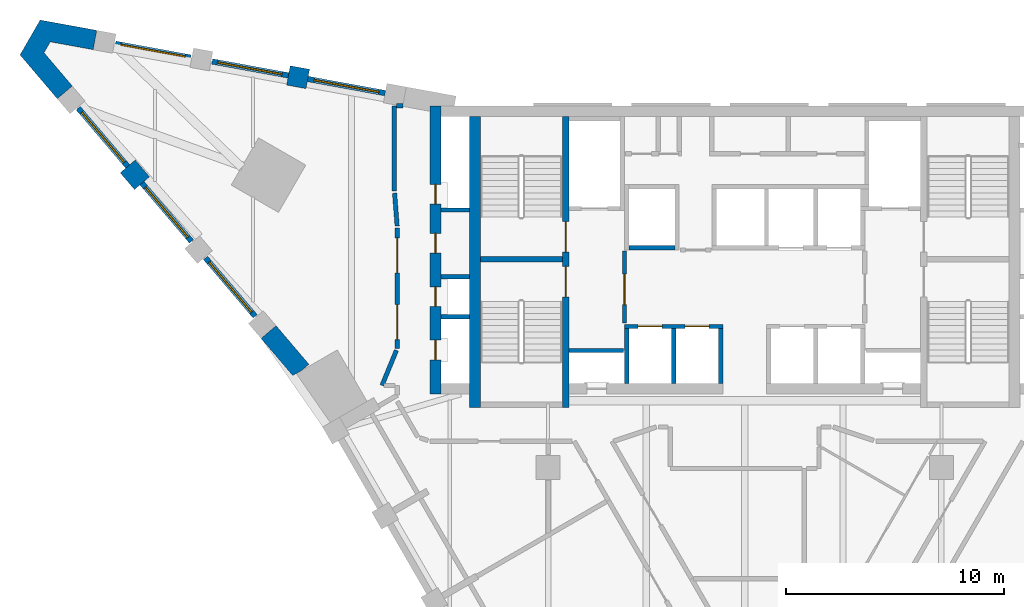
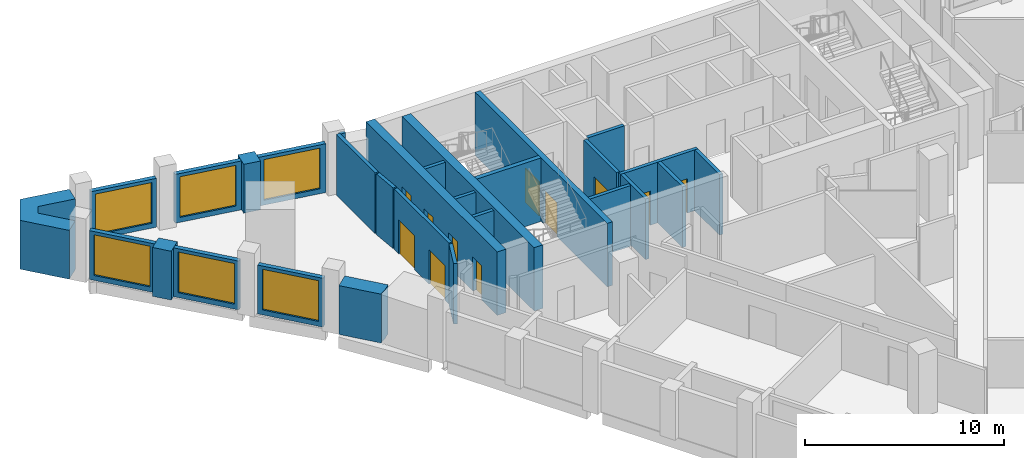
# One storey, part 5 of 9: 29 walls, 11 doors, 6 windows, 17 openings.
"""IFC4 building model written with IfcOpenShell, lengths in metres."""

from ifc_helpers import new_model, si_unit, direction, frame, frame_2d, origin, place, context, subcontext, project, spatial, polyline, rectangle, outline, extrude, material, layer, layer_set, type_object, element, fill, save


model = new_model("IFC4")

# Units and contexts
model_context = context("Model", 3, precision=1e-05, world=origin(), true_north=direction((0.0, 1.0)))
body_context = subcontext(model_context, "Body", "Model", "MODEL_VIEW")
ifc_project = project(units=[si_unit("LENGTHUNIT", "METRE"), si_unit("AREAUNIT", "SQUARE_METRE"), si_unit("VOLUMEUNIT", "CUBIC_METRE"), si_unit("PLANEANGLEUNIT", "RADIAN"), si_unit("MASSUNIT", "GRAM", prefix="KILO")], contexts=[model_context])

# Site, building, storey
site_placement = place(None, origin())
site = spatial("IfcSite", under=ifc_project, at=site_placement, CompositionType="ELEMENT")
building_placement = place(site_placement, origin())
building = spatial("IfcBuilding", under=site, at=building_placement, Name="Calabash Gate Tower", CompositionType="ELEMENT")
storey_placement = place(building_placement, frame((0.0, 0.0, 200.300048828125)))
storey = spatial("IfcBuildingStorey", under=building, at=storey_placement, Name="L47", CompositionType="ELEMENT", Elevation=200.300048828125)

# Walls
ifc_material_1 = material(Name="Terracotta brick masonry, exposed face", Category="masonry")
ifc_layer_1 = layer(ifc_material_1, 0.89990234375)
ifc_layer_set_1 = layer_set([ifc_layer_1], Name="Brick end wall 900")
wall_type_1 = type_object("IfcWallType", Name="Brick end wall 900", PredefinedType="SOLIDWALL", material=ifc_layer_set_1)
wall_1_placement = place(storey_placement, frame((-20.52099609375, 19.91796875, 0.0), z_axis=(0.0, 0.0, 1.0), x_axis=(0.180126650564, 0.983643426124, 0.0)))
element("IfcWall", 1, at=wall_1_placement, inside=storey, type_object=wall_type_1, Name="Brick pier S13 wedge5.1", PredefinedType="SOLIDWALL", context=body_context, shape_type="SweptSolid", body=[
    extrude(rectangle(XDim=0.89990234375, YDim=0.89990234375, at=frame_2d((0.449951171875, 0.0))), origin(), (0.0, 0.0, 1.0), 3.0),
])
wall_2_placement = place(storey_placement, frame((-27.587890625, 15.511474609375, 0.0), z_axis=(0.0, 0.0, 1.0), x_axis=(-0.647641360564, 0.761945318305, 0.0)))
element("IfcWall", 2, at=wall_2_placement, inside=storey, type_object=wall_type_1, Name="Brick pier S13 wedge7.1", PredefinedType="SOLIDWALL", context=body_context, shape_type="SweptSolid", body=[
    extrude(rectangle(XDim=1.00390625, YDim=0.89990234375, at=frame_2d((0.501953125, 0.0))), origin(), (0.0, 0.0, 1.0), 3.0),
])
wall_3_placement = place(storey_placement, origin())
element("IfcWall", 3, at=wall_3_placement, inside=storey, type_object=wall_type_1, Name="Brick end wall S13 2", PredefinedType="SOLIDWALL", context=body_context, shape_type="SweptSolid", body=[
    extrude(outline(polyline([(-31.784423828125, 21.978759765625), (-29.816650390625, 21.618896484375), (-29.654541015625, 22.504150390625), (-32.24658203125, 22.978271484375), (-33.168701171875, 21.38134765625), (-31.4619140625, 19.373779296875), (-30.776123046875, 19.956787109375), (-32.072021484375, 21.48095703125), (-31.784423828125, 21.978759765625)])), origin(), (0.0, 0.0, 1.0), 3.0),
])
wall_4_placement = place(storey_placement, origin())
element("IfcWall", 4, at=wall_4_placement, inside=storey, type_object=wall_type_1, Name="Brick end wall S13 3", PredefinedType="SOLIDWALL", context=body_context, shape_type="SweptSolid", body=[
    extrude(outline(polyline([(-19.947998046875, 7.2197265625), (-21.44921875, 8.985595703125), (-22.135009765625, 8.402587890625), (-20.66015625, 6.667724609375), (-20.6806640625, 6.703125), (-20.291015625, 6.92822265625), (-19.947998046875, 7.2197265625)])), origin(), (0.0, 0.0, 1.0), 3.0),
])
ifc_material_2 = material(Name="Concrete C70/85", Category="concrete")
ifc_layer_2 = layer(ifc_material_2, 0.25)
ifc_layer_set_2 = layer_set([ifc_layer_2], Name="Core wall 250 Concrete C70/85")
wall_type_2 = type_object("IfcWallType", Name="Core wall 250 Concrete C70/85", PredefinedType="SHEAR", material=ifc_layer_set_2)
wall_5_placement = place(storey_placement, frame((-12.10009765625, 12.027587890625, 0.0), z_axis=(0.0, 0.0, 1.0), x_axis=(1.0, 0.0, 0.0)))
element("IfcWall", 5, at=wall_5_placement, inside=storey, type_object=wall_type_2, Name="Core wall Z4-MIDW L47", PredefinedType="SHEAR", context=body_context, shape_type="SweptSolid", body=[
    extrude(rectangle(XDim=3.75, YDim=0.25, at=frame_2d((1.875, 0.0))), origin(), (0.0, 0.0, 1.0), 3.89990234375),
])

# Wall, openings, doors
ifc_material_3 = material(Name="Concrete C70/85", Category="concrete")
ifc_layer_3 = layer(ifc_material_3, 0.300048828125)
ifc_layer_set_3 = layer_set([ifc_layer_3], Name="Core wall 300 Concrete C70/85")
wall_type_3 = type_object("IfcWallType", Name="Core wall 300 Concrete C70/85", PredefinedType="SHEAR", material=ifc_layer_set_3)
wall_6_placement = place(storey_placement, frame((-8.199951171875, 5.252685546875, 0.0), z_axis=(0.0, 0.0, 1.0), x_axis=(0.0, 1.0, 0.0)))
wall_6 = element("IfcWall", 6, at=wall_6_placement, inside=storey, type_object=wall_type_3, Name="Core wall Z4-PARTW L47", PredefinedType="SHEAR", context=body_context, shape_type="SweptSolid", body=[
    extrude(rectangle(XDim=13.2998046875, YDim=0.300048828125, at=frame_2d((6.64990234375, 0.0))), origin(), (0.0, 0.0, 1.0), 3.89990234375),
])
opening_1_placement = place(wall_6_placement, frame((7.10009765625, 0.0, 0.0)))
opening_1 = element("IfcOpeningElement", 7, at=opening_1_placement, cuts=wall_6, Name="Opening O5-018", PredefinedType="OPENING", context=body_context, shape_type="SweptSolid", body=[
    extrude(rectangle(XDim=1.39990234375, YDim=2.10009765625, at=frame_2d((0.699951171875, 1.050048828125))), frame((0.0, 0.159912109375, 0.0), z_axis=(0.0, -1.0, 0.0), x_axis=(1.0, 0.0, 0.0)), (0.0, 0.0, 1.0), 0.320068359375),
])
opening_2_placement = place(wall_6_placement, frame((5.050048828125, 0.0, 0.0)))
opening_2 = element("IfcOpeningElement", 8, at=opening_2_placement, cuts=wall_6, Name="Opening O5-019", PredefinedType="OPENING", context=body_context, shape_type="SweptSolid", body=[
    extrude(rectangle(XDim=1.39990234375, YDim=2.10009765625, at=frame_2d((0.699951171875, 1.050048828125))), frame((0.0, 0.159912109375, 0.0), z_axis=(0.0, -1.0, 0.0), x_axis=(1.0, 0.0, 0.0)), (0.0, 0.0, 1.0), 0.320068359375),
])
ifc_material_4 = material(Name="Steel fire door set with fire-resisting glazing", Category="steel")
door_type_1 = type_object("IfcDoorType", Name="Fire door D05 1400x2100 FD90", OperationType="NOTDEFINED", PredefinedType="DOOR", material=ifc_material_4)
door_1_placement = place(opening_1_placement, origin())
door_1 = element("IfcDoor", 9, at=door_1_placement, inside=storey, type_object=door_type_1, Name="Exit stair door ST1", OperationType="SINGLE_SWING_LEFT", OverallHeight=2.10009765625, OverallWidth=1.39990234375, PredefinedType="DOOR", context=body_context, shape_type="SweptSolid", body=[
    extrude(rectangle(XDim=1.39990234375, YDim=2.10009765625, at=frame_2d((0.699951171875, 1.050048828125))), frame((0.0, 0.02490234375, 0.0), z_axis=(0.0, -1.0, 0.0), x_axis=(1.0, 0.0, 0.0)), (0.0, 0.0, 1.0), 0.050048828125),
])
fill(opening_1, door_1)
door_2_placement = place(opening_2_placement, origin())
door_2 = element("IfcDoor", 10, at=door_2_placement, inside=storey, type_object=door_type_1, Name="Exit stair door ST2", OperationType="SINGLE_SWING_LEFT", OverallHeight=2.10009765625, OverallWidth=1.39990234375, PredefinedType="DOOR", context=body_context, shape_type="SweptSolid", body=[
    extrude(rectangle(XDim=1.39990234375, YDim=2.10009765625, at=frame_2d((0.699951171875, 1.050048828125))), frame((0.0, 0.02490234375, 0.0), z_axis=(0.0, -1.0, 0.0), x_axis=(1.0, 0.0, 0.0)), (0.0, 0.0, 1.0), 0.050048828125),
])
fill(opening_2, door_2)

# Wall
ifc_material_5 = material(Name="Concrete C70/85", Category="concrete")
ifc_layer_4 = layer(ifc_material_5, 0.5)
ifc_layer_set_4 = layer_set([ifc_layer_4], Name="Core wall 500 Concrete C70/85")
wall_type_4 = type_object("IfcWallType", Name="Core wall 500 Concrete C70/85", PredefinedType="SHEAR", material=ifc_layer_set_4)
wall_7_placement = place(storey_placement, frame((-12.35009765625, 5.252685546875, 0.0), z_axis=(0.0, 0.0, 1.0), x_axis=(0.0, 1.0, 0.0)))
element("IfcWall", 11, at=wall_7_placement, inside=storey, type_object=wall_type_4, Name="Core wall Z4-COLW L47", PredefinedType="SHEAR", context=body_context, shape_type="SweptSolid", body=[
    extrude(rectangle(XDim=13.2998046875, YDim=0.5, at=frame_2d((6.64990234375, 0.0))), origin(), (0.0, 0.0, 1.0), 3.89990234375),
])

# Wall, openings, doors
wall_8_placement = place(storey_placement, frame((-14.14990234375, 5.8525390625, 0.0), z_axis=(0.0, 0.0, 1.0), x_axis=(0.0, 1.0, 0.0)))
wall_8 = element("IfcWall", 12, at=wall_8_placement, inside=storey, type_object=wall_type_4, Name="Core wall Z4-ENDW L47", PredefinedType="SHEAR", context=body_context, shape_type="SweptSolid", body=[
    extrude(rectangle(XDim=13.199951171875, YDim=0.5, at=frame_2d((6.60009765625, 0.0))), origin(), (0.0, 0.0, 1.0), 3.89990234375),
])
opening_3_placement = place(wall_8_placement, frame((1.574951171875, 0.0, 0.0)))
opening_3 = element("IfcOpeningElement", 13, at=opening_3_placement, cuts=wall_8, Name="Opening O5-005", PredefinedType="OPENING", context=body_context, shape_type="SweptSolid", body=[
    extrude(rectangle(XDim=0.89990234375, YDim=2.10009765625, at=frame_2d((0.449951171875, 1.050048828125))), frame((0.0, 0.260009765625, 0.0), z_axis=(0.0, -1.0, 0.0), x_axis=(1.0, 0.0, 0.0)), (0.0, 0.0, 1.0), 0.52001953125),
])
opening_4_placement = place(wall_8_placement, frame((4.014892578125, 0.0, 0.0)))
opening_4 = element("IfcOpeningElement", 14, at=opening_4_placement, cuts=wall_8, Name="Opening O5-006", PredefinedType="OPENING", context=body_context, shape_type="SweptSolid", body=[
    extrude(rectangle(XDim=0.89990234375, YDim=2.10009765625, at=frame_2d((0.449951171875, 1.050048828125))), frame((0.0, 0.260009765625, 0.0), z_axis=(0.0, -1.0, 0.0), x_axis=(1.0, 0.0, 0.0)), (0.0, 0.0, 1.0), 0.52001953125),
])
opening_5_placement = place(wall_8_placement, frame((6.455078125, 0.0, 0.0)))
opening_5 = element("IfcOpeningElement", 15, at=opening_5_placement, cuts=wall_8, Name="Opening O5-007", PredefinedType="OPENING", context=body_context, shape_type="SweptSolid", body=[
    extrude(rectangle(XDim=0.89990234375, YDim=2.10009765625, at=frame_2d((0.449951171875, 1.050048828125))), frame((0.0, 0.260009765625, 0.0), z_axis=(0.0, -1.0, 0.0), x_axis=(1.0, 0.0, 0.0)), (0.0, 0.0, 1.0), 0.52001953125),
])
opening_6_placement = place(wall_8_placement, frame((8.697509765625, 0.0, 0.0)))
opening_6 = element("IfcOpeningElement", 16, at=opening_6_placement, cuts=wall_8, Name="Opening O5-008", PredefinedType="OPENING", context=body_context, shape_type="SweptSolid", body=[
    extrude(rectangle(XDim=0.89990234375, YDim=2.10009765625, at=frame_2d((0.449951171875, 1.050048828125))), frame((0.0, 0.260009765625, 0.0), z_axis=(0.0, -1.0, 0.0), x_axis=(1.0, 0.0, 0.0)), (0.0, 0.0, 1.0), 0.52001953125),
])
ifc_material_6 = material(Name="Steel fire door set with fire-resisting glazing", Category="steel")
door_type_2 = type_object("IfcDoorType", Name="Fire door D06 900x2100 FD60", OperationType="NOTDEFINED", PredefinedType="DOOR", material=ifc_material_6)
door_3_placement = place(opening_3_placement, origin())
door_3 = element("IfcDoor", 17, at=door_3_placement, inside=storey, type_object=door_type_2, Name="Electrical Riser door", OperationType="SINGLE_SWING_LEFT", OverallHeight=2.10009765625, OverallWidth=0.89990234375, PredefinedType="DOOR", context=body_context, shape_type="SweptSolid", body=[
    extrude(rectangle(XDim=0.89990234375, YDim=2.10009765625, at=frame_2d((0.449951171875, 1.050048828125))), frame((0.0, 0.02490234375, 0.0), z_axis=(0.0, -1.0, 0.0), x_axis=(1.0, 0.0, 0.0)), (0.0, 0.0, 1.0), 0.050048828125),
])
fill(opening_3, door_3)
door_4_placement = place(opening_4_placement, origin())
door_4 = element("IfcDoor", 18, at=door_4_placement, inside=storey, type_object=door_type_2, Name="Comms Riser door", OperationType="SINGLE_SWING_LEFT", OverallHeight=2.10009765625, OverallWidth=0.89990234375, PredefinedType="DOOR", context=body_context, shape_type="SweptSolid", body=[
    extrude(rectangle(XDim=0.89990234375, YDim=2.10009765625, at=frame_2d((0.449951171875, 1.050048828125))), frame((0.0, 0.02490234375, 0.0), z_axis=(0.0, -1.0, 0.0), x_axis=(1.0, 0.0, 0.0)), (0.0, 0.0, 1.0), 0.050048828125),
])
fill(opening_4, door_4)
door_5_placement = place(opening_5_placement, origin())
door_5 = element("IfcDoor", 19, at=door_5_placement, inside=storey, type_object=door_type_2, Name="Cleaner's Store door", OperationType="SINGLE_SWING_LEFT", OverallHeight=2.10009765625, OverallWidth=0.89990234375, PredefinedType="DOOR", context=body_context, shape_type="SweptSolid", body=[
    extrude(rectangle(XDim=0.89990234375, YDim=2.10009765625, at=frame_2d((0.449951171875, 1.050048828125))), frame((0.0, 0.02490234375, 0.0), z_axis=(0.0, -1.0, 0.0), x_axis=(1.0, 0.0, 0.0)), (0.0, 0.0, 1.0), 0.050048828125),
])
fill(opening_5, door_5)
door_6_placement = place(opening_6_placement, origin())
door_6 = element("IfcDoor", 20, at=door_6_placement, inside=storey, type_object=door_type_2, Name="Duct Riser door", OperationType="SINGLE_SWING_LEFT", OverallHeight=2.10009765625, OverallWidth=0.89990234375, PredefinedType="DOOR", context=body_context, shape_type="SweptSolid", body=[
    extrude(rectangle(XDim=0.89990234375, YDim=2.10009765625, at=frame_2d((0.449951171875, 1.050048828125))), frame((0.0, 0.02490234375, 0.0), z_axis=(0.0, -1.0, 0.0), x_axis=(1.0, 0.0, 0.0)), (0.0, 0.0, 1.0), 0.050048828125),
])
fill(opening_6, door_6)

# Wall
ifc_material_7 = material(Name="Gypsum board on steel studs, mineral wool", Category="steel")
ifc_layer_5 = layer(ifc_material_7, 0.199951171875)
ifc_layer_set_5 = layer_set([ifc_layer_5], Name="Partition 200 gypsum board EI 60")
wall_type_5 = type_object("IfcWallType", Name="Partition 200 gypsum board EI 60", PredefinedType="PARTITIONING", material=ifc_layer_set_5)
wall_9_placement = place(storey_placement, frame((-16.6005859375, 6.252685546875, 0.0), z_axis=(0.0, 0.0, 1.0), x_axis=(0.380742741509, 0.924681007044, 0.0)))
element("IfcWall", 21, at=wall_9_placement, inside=storey, type_object=wall_type_5, Name="Partition", PredefinedType="PARTITIONING", context=body_context, shape_type="SweptSolid", body=[
    extrude(rectangle(XDim=1.73828125, YDim=0.199951171875, at=frame_2d((0.869140625, 0.0))), origin(), (0.0, 0.0, 1.0), 3.72998046875),
])

# Wall, openings, doors
wall_10_placement = place(storey_placement, frame((-15.900390625, 7.95263671875, 0.0), z_axis=(0.0, 0.0, 1.0), x_axis=(0.0, 1.0, 0.0)))
wall_10 = element("IfcWall", 22, at=wall_10_placement, inside=storey, type_object=wall_type_5, Name="Partition", PredefinedType="PARTITIONING", context=body_context, shape_type="SweptSolid", body=[
    extrude(rectangle(XDim=5.499755859375, YDim=0.199951171875, at=frame_2d((2.75, 0.0))), origin(), (0.0, 0.0, 1.0), 3.72998046875),
])
opening_7_placement = place(wall_10_placement, frame((0.39990234375, 0.0, 0.0)))
opening_7 = element("IfcOpeningElement", 23, at=opening_7_placement, cuts=wall_10, Name="Opening 46-48-006", PredefinedType="OPENING", context=body_context, shape_type="SweptSolid", body=[
    extrude(rectangle(XDim=1.60009765625, YDim=2.10009765625, at=frame_2d((0.800048828125, 1.050048828125))), frame((0.0, 0.10986328125, 0.0), z_axis=(0.0, -1.0, 0.0), x_axis=(1.0, 0.0, 0.0)), (0.0, 0.0, 1.0), 0.219970703125),
])
opening_8_placement = place(wall_10_placement, frame((3.44970703125, 0.0, 0.0)))
opening_8 = element("IfcOpeningElement", 24, at=opening_8_placement, cuts=wall_10, Name="Opening 46-48-007", PredefinedType="OPENING", context=body_context, shape_type="SweptSolid", body=[
    extrude(rectangle(XDim=1.60009765625, YDim=2.10009765625, at=frame_2d((0.800048828125, 1.050048828125))), frame((0.0, 0.10986328125, 0.0), z_axis=(0.0, -1.0, 0.0), x_axis=(1.0, 0.0, 0.0)), (0.0, 0.0, 1.0), 0.219970703125),
])
ifc_material_8 = material(Name="Steel fire door set with fire-resisting glazing", Category="steel")
door_type_3 = type_object("IfcDoorType", Name="LD1 Lounge double door 1600x2100", OperationType="NOTDEFINED", PredefinedType="DOOR", material=ifc_material_8)
door_7_placement = place(opening_7_placement, origin())
door_7 = element("IfcDoor", 25, at=door_7_placement, inside=storey, type_object=door_type_3, Name="Lounge double door", OperationType="DOUBLE_DOOR_SINGLE_SWING", OverallHeight=2.10009765625, OverallWidth=1.60009765625, PredefinedType="DOOR", context=body_context, shape_type="SweptSolid", body=[
    extrude(rectangle(XDim=1.60009765625, YDim=2.10009765625, at=frame_2d((0.800048828125, 1.050048828125))), frame((0.0, 0.02490234375, 0.0), z_axis=(0.0, -1.0, 0.0), x_axis=(1.0, 0.0, 0.0)), (0.0, 0.0, 1.0), 0.050048828125),
])
fill(opening_7, door_7)
door_8_placement = place(opening_8_placement, origin())
door_8 = element("IfcDoor", 26, at=door_8_placement, inside=storey, type_object=door_type_3, Name="Lounge double door", OperationType="DOUBLE_DOOR_SINGLE_SWING", OverallHeight=2.10009765625, OverallWidth=1.60009765625, PredefinedType="DOOR", context=body_context, shape_type="SweptSolid", body=[
    extrude(rectangle(XDim=1.60009765625, YDim=2.10009765625, at=frame_2d((0.800048828125, 1.050048828125))), frame((0.0, 0.02490234375, 0.0), z_axis=(0.0, -1.0, 0.0), x_axis=(1.0, 0.0, 0.0)), (0.0, 0.0, 1.0), 0.050048828125),
])
fill(opening_8, door_8)

# Walls
wall_11_placement = place(storey_placement, frame((-16.024169921875, 15.052978515625, 0.0), z_axis=(0.0, 0.0, 1.0), x_axis=(0.07704378759, -0.997027710143, 0.0)))
element("IfcWall", 27, at=wall_11_placement, inside=storey, type_object=wall_type_5, Name="Partition", PredefinedType="PARTITIONING", context=body_context, shape_type="SweptSolid", body=[
    extrude(rectangle(XDim=1.505126953125, YDim=0.199951171875, at=frame_2d((0.75244140625, 0.0))), origin(), (0.0, 0.0, 1.0), 3.72998046875),
])
wall_12_placement = place(storey_placement, frame((-16.031982421875, 15.152587890625, 0.0), z_axis=(0.0, 0.0, 1.0), x_axis=(0.0, 1.0, 0.0)))
element("IfcWall", 28, at=wall_12_placement, inside=storey, type_object=wall_type_5, Name="Partition", PredefinedType="PARTITIONING", context=body_context, shape_type="SweptSolid", body=[
    extrude(rectangle(XDim=3.89990234375, YDim=0.199951171875, at=frame_2d((1.949951171875, 0.0))), origin(), (0.0, 0.0, 1.0), 3.72998046875),
])
wall_13_placement = place(storey_placement, frame((-15.931884765625, 19.052490234375, 0.0), z_axis=(0.0, 0.0, 1.0), x_axis=(1.0, 0.0, 0.0)))
element("IfcWall", 29, at=wall_13_placement, inside=storey, type_object=wall_type_5, Name="Partition", PredefinedType="PARTITIONING", context=body_context, shape_type="SweptSolid", body=[
    extrude(rectangle(XDim=0.28515625, YDim=0.199951171875, at=frame_2d((0.142578125, 0.0))), origin(), (0.0, 0.0, 1.0), 3.72998046875),
])

# Wall, opening, window
ifc_material_9 = material(Name="Aluminium framed window wall with insulated spandrel", Category="aluminium")
ifc_layer_6 = layer(ifc_material_9, 0.25)
ifc_layer_set_6 = layer_set([ifc_layer_6], Name="Prow window wall 250")
wall_type_6 = type_object("IfcWallType", Name="Prow window wall 250", PredefinedType="ELEMENTEDWALL", material=ifc_layer_set_6)
wall_14_placement = place(storey_placement, frame((-16.4560546875, 19.631591796875, 0.0), z_axis=(0.0, 0.0, 1.0), x_axis=(-0.983669647318, 0.17998340186, 0.0)))
wall_14 = element("IfcWall", 30, at=wall_14_placement, inside=storey, type_object=wall_type_6, Name="Prow window wall S13 wedge5.1", PredefinedType="ELEMENTEDWALL", context=body_context, shape_type="SweptSolid", body=[
    extrude(rectangle(XDim=3.60009765625, YDim=0.25, at=frame_2d((1.800048828125, 0.0))), origin(), (0.0, 0.0, 1.0), 3.0),
])
opening_9_placement = place(wall_14_placement, frame((0.300048828125, 0.0, 0.300048828125)))
opening_9 = element("IfcOpeningElement", 31, at=opening_9_placement, cuts=wall_14, Name="Opening WP2", PredefinedType="OPENING", context=body_context, shape_type="SweptSolid", body=[
    extrude(rectangle(XDim=3.0, YDim=2.5, at=frame_2d((1.5, 1.25))), frame((0.0, 0.135009765625, 0.0), z_axis=(0.0, -1.0, 0.0), x_axis=(1.0, 0.0, 0.0)), (0.0, 0.0, 1.0), 0.27001953125),
])
ifc_material_10 = material(Name="Anodised aluminium frame, bronze finish, impact-rated laminated clear glazing", Category="aluminium")
window_type = type_object("IfcWindowType", Name="Window WP2 3000x2500", PartitioningType="DOUBLE_PANEL_VERTICAL", PredefinedType="WINDOW", material=ifc_material_10)
window_1_placement = place(opening_9_placement, origin())
window_1 = element("IfcWindow", 32, at=window_1_placement, inside=storey, type_object=window_type, Name="Prow window WP2 S13 wedge5.1", OverallHeight=2.5, OverallWidth=3.0, PartitioningType="SINGLE_PANEL", PredefinedType="WINDOW", context=body_context, shape_type="SweptSolid", body=[
    extrude(rectangle(XDim=3.0, YDim=2.5, at=frame_2d((1.5, 1.25))), frame((0.0, 0.030029296875, 0.0), z_axis=(0.0, -1.0, 0.0), x_axis=(1.0, 0.0, 0.0)), (0.0, 0.0, 1.0), 0.06005859375),
])
fill(opening_9, window_1)

wall_15_placement = place(storey_placement, frame((-20.880615234375, 20.441162109375, 0.0), z_axis=(0.0, 0.0, 1.0), x_axis=(-0.98366583261, 0.180004249274, 0.0)))
wall_15 = element("IfcWall", 33, at=wall_15_placement, inside=storey, type_object=wall_type_6, Name="Prow window wall S13 wedge5.2", PredefinedType="ELEMENTEDWALL", context=body_context, shape_type="SweptSolid", body=[
    extrude(rectangle(XDim=3.55224609375, YDim=0.25, at=frame_2d((1.776123046875, 0.0))), origin(), (0.0, 0.0, 1.0), 3.0),
])
opening_10_placement = place(wall_15_placement, frame((0.302001953125, 0.0, 0.300048828125)))
opening_10 = element("IfcOpeningElement", 34, at=opening_10_placement, cuts=wall_15, Name="Opening WP2", PredefinedType="OPENING", context=body_context, shape_type="SweptSolid", body=[
    extrude(rectangle(XDim=3.0, YDim=2.5, at=frame_2d((1.5, 1.25))), frame((0.0, 0.135009765625, 0.0), z_axis=(0.0, -1.0, 0.0), x_axis=(1.0, 0.0, 0.0)), (0.0, 0.0, 1.0), 0.27001953125),
])
window_2_placement = place(opening_10_placement, origin())
window_2 = element("IfcWindow", 35, at=window_2_placement, inside=storey, type_object=window_type, Name="Prow window WP2 S13 wedge5.2", OverallHeight=2.5, OverallWidth=3.0, PartitioningType="SINGLE_PANEL", PredefinedType="WINDOW", context=body_context, shape_type="SweptSolid", body=[
    extrude(rectangle(XDim=3.0, YDim=2.5, at=frame_2d((1.5, 1.25))), frame((0.0, 0.030029296875, 0.0), z_axis=(0.0, -1.0, 0.0), x_axis=(1.0, 0.0, 0.0)), (0.0, 0.0, 1.0), 0.06005859375),
])
fill(opening_10, window_2)

wall_16_placement = place(storey_placement, frame((-25.3583984375, 21.260498046875, 0.0), z_axis=(0.0, 0.0, 1.0), x_axis=(-0.983672889292, 0.179965682483, 0.0)))
wall_16 = element("IfcWall", 36, at=wall_16_placement, inside=storey, type_object=wall_type_6, Name="Prow window wall S13 wedge5.3", PredefinedType="ELEMENTEDWALL", context=body_context, shape_type="SweptSolid", body=[
    extrude(rectangle(XDim=3.5, YDim=0.25, at=frame_2d((1.75, 0.0))), origin(), (0.0, 0.0, 1.0), 3.0),
])
opening_11_placement = place(wall_16_placement, frame((0.25, 0.0, 0.300048828125)))
opening_11 = element("IfcOpeningElement", 37, at=opening_11_placement, cuts=wall_16, Name="Opening WP2", PredefinedType="OPENING", context=body_context, shape_type="SweptSolid", body=[
    extrude(rectangle(XDim=3.0, YDim=2.5, at=frame_2d((1.5, 1.25))), frame((0.0, 0.135009765625, 0.0), z_axis=(0.0, -1.0, 0.0), x_axis=(1.0, 0.0, 0.0)), (0.0, 0.0, 1.0), 0.27001953125),
])
window_3_placement = place(opening_11_placement, origin())
window_3 = element("IfcWindow", 38, at=window_3_placement, inside=storey, type_object=window_type, Name="Prow window WP2 S13 wedge5.3", OverallHeight=2.5, OverallWidth=3.0, PartitioningType="SINGLE_PANEL", PredefinedType="WINDOW", context=body_context, shape_type="SweptSolid", body=[
    extrude(rectangle(XDim=3.0, YDim=2.5, at=frame_2d((1.5, 1.25))), frame((0.0, 0.030029296875, 0.0), z_axis=(0.0, -1.0, 0.0), x_axis=(1.0, 0.0, 0.0)), (0.0, 0.0, 1.0), 0.06005859375),
])
fill(opening_11, window_3)

wall_17_placement = place(storey_placement, frame((-30.503662109375, 18.94140625, 0.0), z_axis=(0.0, 0.0, 1.0), x_axis=(0.647701065937, -0.761894565661, 0.0)))
wall_17 = element("IfcWall", 39, at=wall_17_placement, inside=storey, type_object=wall_type_6, Name="Prow window wall S13 wedge7.1", PredefinedType="ELEMENTEDWALL", context=body_context, shape_type="SweptSolid", body=[
    extrude(rectangle(XDim=3.499755859375, YDim=0.25, at=frame_2d((1.75, 0.0))), origin(), (0.0, 0.0, 1.0), 3.0),
])
opening_12_placement = place(wall_17_placement, frame((0.25, 0.0, 0.300048828125)))
opening_12 = element("IfcOpeningElement", 40, at=opening_12_placement, cuts=wall_17, Name="Opening WP2", PredefinedType="OPENING", context=body_context, shape_type="SweptSolid", body=[
    extrude(rectangle(XDim=3.0, YDim=2.5, at=frame_2d((1.5, 1.25))), frame((0.0, 0.135009765625, 0.0), z_axis=(0.0, -1.0, 0.0), x_axis=(1.0, 0.0, 0.0)), (0.0, 0.0, 1.0), 0.27001953125),
])
window_4_placement = place(opening_12_placement, origin())
window_4 = element("IfcWindow", 41, at=window_4_placement, inside=storey, type_object=window_type, Name="Prow window WP2 S13 wedge7.1", OverallHeight=2.5, OverallWidth=3.0, PartitioningType="SINGLE_PANEL", PredefinedType="WINDOW", context=body_context, shape_type="SweptSolid", body=[
    extrude(rectangle(XDim=3.0, YDim=2.5, at=frame_2d((1.5, 1.25))), frame((0.0, 0.030029296875, 0.0), z_axis=(0.0, -1.0, 0.0), x_axis=(1.0, 0.0, 0.0)), (0.0, 0.0, 1.0), 0.06005859375),
])
fill(opening_12, window_4)

wall_18_placement = place(storey_placement, frame((-27.589111328125, 15.512939453125, 0.0), z_axis=(0.0, 0.0, 1.0), x_axis=(0.647741556426, -0.761860142073, 0.0)))
wall_18 = element("IfcWall", 42, at=wall_18_placement, inside=storey, type_object=wall_type_6, Name="Prow window wall S13 wedge7.2", PredefinedType="ELEMENTEDWALL", context=body_context, shape_type="SweptSolid", body=[
    extrude(rectangle(XDim=3.5, YDim=0.25, at=frame_2d((1.75, 0.0))), origin(), (0.0, 0.0, 1.0), 3.0),
])
opening_13_placement = place(wall_18_placement, frame((0.25, 0.0, 0.300048828125)))
opening_13 = element("IfcOpeningElement", 43, at=opening_13_placement, cuts=wall_18, Name="Opening WP2", PredefinedType="OPENING", context=body_context, shape_type="SweptSolid", body=[
    extrude(rectangle(XDim=3.0, YDim=2.5, at=frame_2d((1.5, 1.25))), frame((0.0, 0.135009765625, 0.0), z_axis=(0.0, -1.0, 0.0), x_axis=(1.0, 0.0, 0.0)), (0.0, 0.0, 1.0), 0.27001953125),
])
window_5_placement = place(opening_13_placement, origin())
window_5 = element("IfcWindow", 44, at=window_5_placement, inside=storey, type_object=window_type, Name="Prow window WP2 S13 wedge7.2", OverallHeight=2.5, OverallWidth=3.0, PartitioningType="SINGLE_PANEL", PredefinedType="WINDOW", context=body_context, shape_type="SweptSolid", body=[
    extrude(rectangle(XDim=3.0, YDim=2.5, at=frame_2d((1.5, 1.25))), frame((0.0, 0.030029296875, 0.0), z_axis=(0.0, -1.0, 0.0), x_axis=(1.0, 0.0, 0.0)), (0.0, 0.0, 1.0), 0.06005859375),
])
fill(opening_13, window_5)

wall_19_placement = place(storey_placement, frame((-24.67431640625, 12.08447265625, 0.0), z_axis=(0.0, 0.0, 1.0), x_axis=(0.647701065937, -0.761894565661, 0.0)))
wall_19 = element("IfcWall", 45, at=wall_19_placement, inside=storey, type_object=wall_type_6, Name="Prow window wall S13 wedge7.3", PredefinedType="ELEMENTEDWALL", context=body_context, shape_type="SweptSolid", body=[
    extrude(rectangle(XDim=3.499755859375, YDim=0.25, at=frame_2d((1.75, 0.0))), origin(), (0.0, 0.0, 1.0), 3.0),
])
opening_14_placement = place(wall_19_placement, frame((0.25, 0.0, 0.300048828125)))
opening_14 = element("IfcOpeningElement", 46, at=opening_14_placement, cuts=wall_19, Name="Opening WP2", PredefinedType="OPENING", context=body_context, shape_type="SweptSolid", body=[
    extrude(rectangle(XDim=3.0, YDim=2.5, at=frame_2d((1.5, 1.25))), frame((0.0, 0.135009765625, 0.0), z_axis=(0.0, -1.0, 0.0), x_axis=(1.0, 0.0, 0.0)), (0.0, 0.0, 1.0), 0.27001953125),
])
window_6_placement = place(opening_14_placement, origin())
window_6 = element("IfcWindow", 47, at=window_6_placement, inside=storey, type_object=window_type, Name="Prow window WP2 S13 wedge7.3", OverallHeight=2.5, OverallWidth=3.0, PartitioningType="SINGLE_PANEL", PredefinedType="WINDOW", context=body_context, shape_type="SweptSolid", body=[
    extrude(rectangle(XDim=3.0, YDim=2.5, at=frame_2d((1.5, 1.25))), frame((0.0, 0.030029296875, 0.0), z_axis=(0.0, -1.0, 0.0), x_axis=(1.0, 0.0, 0.0)), (0.0, 0.0, 1.0), 0.06005859375),
])
fill(opening_14, window_6)

# Walls
ifc_material_11 = material(Name="Concrete C40/50", Category="concrete")
ifc_layer_7 = layer(ifc_material_11, 0.199951171875)
ifc_layer_set_7 = layer_set([ifc_layer_7], Name="Shaft wall 200 Concrete C40/50")
wall_type_7 = type_object("IfcWallType", Name="Shaft wall 200 Concrete C40/50", PredefinedType="SOLIDWALL", material=ifc_layer_set_7)
for number, where, z_axis, x_axis, name in (
    (48, (-5.39990234375, 6.3525390625, 0.0), (0.0, 0.0, 1.0), (0.0, 1.0, 0.0), "Shaft wall"),
    (49, (-3.25, 6.3525390625, 0.0), (0.0, 0.0, 1.0), (0.0, 1.0, 0.0), "Shaft wall"),
    (50, (-1.10009765625, 6.3525390625, 0.0), (0.0, 0.0, 1.0), (0.0, 1.0, 0.0), "Shaft wall"),
    (51, (-8.050048828125, 7.8525390625, 0.0), (0.0, 0.0, 1.0), (1.0, 0.0, 0.0), "Shaft wall"),
):
    element("IfcWall", number, at=place(storey_placement, frame(where, z_axis=z_axis, x_axis=x_axis)), inside=storey, type_object=wall_type_7, Name=name, PredefinedType="SOLIDWALL", context=body_context, shape_type="SweptSolid", body=[
        extrude(rectangle(XDim=2.5, YDim=0.199951171875, at=frame_2d((1.25, 0.0))), origin(), (0.0, 0.0, 1.0), 3.72998046875),
    ])

# Wall, openings, doors
wall_20_placement = place(storey_placement, frame((-5.5, 8.95263671875, 0.0), z_axis=(0.0, 0.0, 1.0), x_axis=(1.0, 0.0, 0.0)))
wall_20 = element("IfcWall", 52, at=wall_20_placement, inside=storey, type_object=wall_type_7, Name="Shaft wall", PredefinedType="SOLIDWALL", context=body_context, shape_type="SweptSolid", body=[
    extrude(rectangle(XDim=4.5, YDim=0.199951171875, at=frame_2d((2.25, 0.0))), origin(), (0.0, 0.0, 1.0), 3.72998046875),
])
opening_15_placement = place(wall_20_placement, frame((0.625, 0.0, 0.0)))
opening_15 = element("IfcOpeningElement", 53, at=opening_15_placement, cuts=wall_20, Name="Opening LD-HR1", PredefinedType="OPENING", context=body_context, shape_type="SweptSolid", body=[
    extrude(rectangle(XDim=1.10009765625, YDim=2.10009765625, at=frame_2d((0.550048828125, 1.050048828125))), frame((0.0, 0.10986328125, 0.0), z_axis=(0.0, -1.0, 0.0), x_axis=(1.0, 0.0, 0.0)), (0.0, 0.0, 1.0), 0.219970703125),
])
opening_16_placement = place(wall_20_placement, frame((2.77490234375, 0.0, 0.0)))
opening_16 = element("IfcOpeningElement", 54, at=opening_16_placement, cuts=wall_20, Name="Opening LD-HR2", PredefinedType="OPENING", context=body_context, shape_type="SweptSolid", body=[
    extrude(rectangle(XDim=1.10009765625, YDim=2.10009765625, at=frame_2d((0.550048828125, 1.050048828125))), frame((0.0, 0.10986328125, 0.0), z_axis=(0.0, -1.0, 0.0), x_axis=(1.0, 0.0, 0.0)), (0.0, 0.0, 1.0), 0.219970703125),
])
ifc_material_12 = material(Name="Stainless steel sliding door leaves", Category="steel")
door_type_4 = type_object("IfcDoorType", Name="Lift landing door LS1 1100x2100 FD90", OperationType="DOUBLE_DOOR_SLIDING", PredefinedType="DOOR", material=ifc_material_12)
door_9_placement = place(opening_15_placement, origin())
door_9 = element("IfcDoor", 55, at=door_9_placement, inside=storey, type_object=door_type_4, Name="Lift landing door HR1", OperationType="DOUBLE_DOOR_SLIDING", OverallHeight=2.10009765625, OverallWidth=1.10009765625, PredefinedType="DOOR", context=body_context, shape_type="SweptSolid", body=[
    extrude(rectangle(XDim=1.10009765625, YDim=2.10009765625, at=frame_2d((0.550048828125, 1.050048828125))), frame((0.0, 0.02490234375, 0.0), z_axis=(0.0, -1.0, 0.0), x_axis=(1.0, 0.0, 0.0)), (0.0, 0.0, 1.0), 0.050048828125),
])
fill(opening_15, door_9)
door_10_placement = place(opening_16_placement, origin())
door_10 = element("IfcDoor", 56, at=door_10_placement, inside=storey, type_object=door_type_4, Name="Lift landing door HR2", OperationType="DOUBLE_DOOR_SLIDING", OverallHeight=2.10009765625, OverallWidth=1.10009765625, PredefinedType="DOOR", context=body_context, shape_type="SweptSolid", body=[
    extrude(rectangle(XDim=1.10009765625, YDim=2.10009765625, at=frame_2d((0.550048828125, 1.050048828125))), frame((0.0, 0.02490234375, 0.0), z_axis=(0.0, -1.0, 0.0), x_axis=(1.0, 0.0, 0.0)), (0.0, 0.0, 1.0), 0.050048828125),
])
fill(opening_16, door_10)

# Wall, opening, door
wall_21_placement = place(storey_placement, frame((-5.5, 9.1025390625, 0.0), z_axis=(0.0, 0.0, 1.0), x_axis=(0.0, 1.0, 0.0)))
wall_21 = element("IfcWall", 57, at=wall_21_placement, inside=storey, type_object=wall_type_7, Name="Shaft wall", PredefinedType="SOLIDWALL", context=body_context, shape_type="SweptSolid", body=[
    extrude(rectangle(XDim=3.300048828125, YDim=0.199951171875, at=frame_2d((1.64990234375, 0.0))), origin(), (0.0, 0.0, 1.0), 3.72998046875),
])
opening_17_placement = place(wall_21_placement, frame((0.85009765625, 0.0, 0.0)))
opening_17 = element("IfcOpeningElement", 58, at=opening_17_placement, cuts=wall_21, Name="Opening O5-011", PredefinedType="OPENING", context=body_context, shape_type="SweptSolid", body=[
    extrude(rectangle(XDim=1.39990234375, YDim=2.10009765625, at=frame_2d((0.699951171875, 1.050048828125))), frame((0.0, 0.10986328125, 0.0), z_axis=(0.0, -1.0, 0.0), x_axis=(1.0, 0.0, 0.0)), (0.0, 0.0, 1.0), 0.219970703125),
])
door_11_placement = place(opening_17_placement, origin())
door_11 = element("IfcDoor", 59, at=door_11_placement, inside=storey, type_object=door_type_1, Name="Firefighting Lobby W door", OperationType="SINGLE_SWING_RIGHT", OverallHeight=2.10009765625, OverallWidth=1.39990234375, PredefinedType="DOOR", context=body_context, shape_type="SweptSolid", body=[
    extrude(rectangle(XDim=1.39990234375, YDim=2.10009765625, at=frame_2d((0.699951171875, 1.050048828125))), frame((0.0, 0.02490234375, 0.0), z_axis=(0.0, -1.0, 0.0), x_axis=(1.0, 0.0, 0.0)), (0.0, 0.0, 1.0), 0.050048828125),
])
fill(opening_17, door_11)

# Walls
for number, where, z_axis, x_axis, name in (
    (60, (-13.89990234375, 9.402587890625, 0.0), (0.0, 0.0, 1.0), (1.0, 0.0, 0.0), "Shaft wall"),
    (61, (-13.89990234375, 11.232666015625, 0.0), (0.0, 0.0, 1.0), (1.0, 0.0, 0.0), "Shaft wall"),
):
    element("IfcWall", number, at=place(storey_placement, frame(where, z_axis=z_axis, x_axis=x_axis)), inside=storey, type_object=wall_type_7, Name=name, PredefinedType="SOLIDWALL", context=body_context, shape_type="SweptSolid", body=[
        extrude(rectangle(XDim=1.2998046875, YDim=0.199951171875, at=frame_2d((0.64990234375, 0.0))), origin(), (0.0, 0.0, 1.0), 3.72998046875),
    ])
wall_22_placement = place(storey_placement, frame((-5.300048828125, 12.552490234375, 0.0), z_axis=(0.0, 0.0, 1.0), x_axis=(1.0, 0.0, 0.0)))
element("IfcWall", 62, at=wall_22_placement, inside=storey, type_object=wall_type_7, Name="Shaft wall", PredefinedType="SOLIDWALL", context=body_context, shape_type="SweptSolid", body=[
    extrude(rectangle(XDim=2.10009765625, YDim=0.199951171875, at=frame_2d((1.050048828125, 0.0))), origin(), (0.0, 0.0, 1.0), 3.72998046875),
])
wall_23_placement = place(storey_placement, frame((-13.89990234375, 14.28271484375, 0.0), z_axis=(0.0, 0.0, 1.0), x_axis=(1.0, 0.0, 0.0)))
element("IfcWall", 63, at=wall_23_placement, inside=storey, type_object=wall_type_7, Name="Shaft wall", PredefinedType="SOLIDWALL", context=body_context, shape_type="SweptSolid", body=[
    extrude(rectangle(XDim=1.2998046875, YDim=0.199951171875, at=frame_2d((0.64990234375, 0.0))), origin(), (0.0, 0.0, 1.0), 3.72998046875),
])

save(model, "model.ifc")
